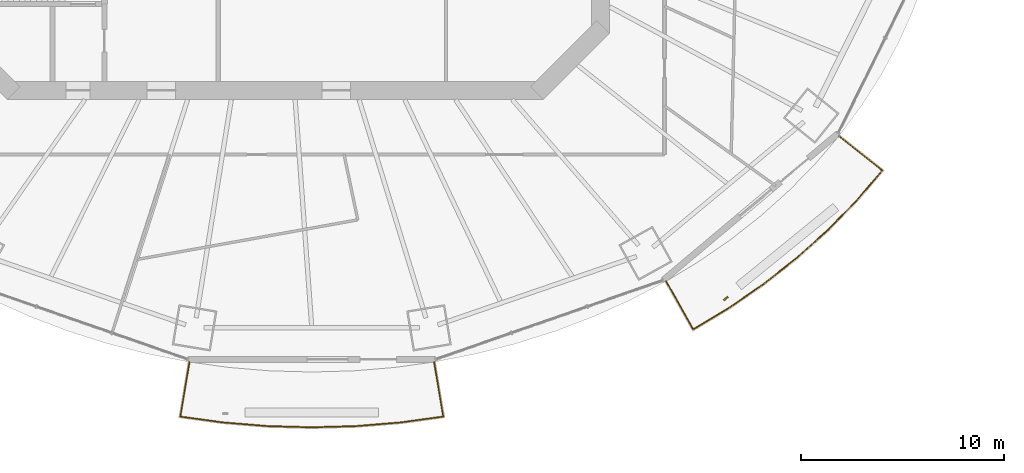
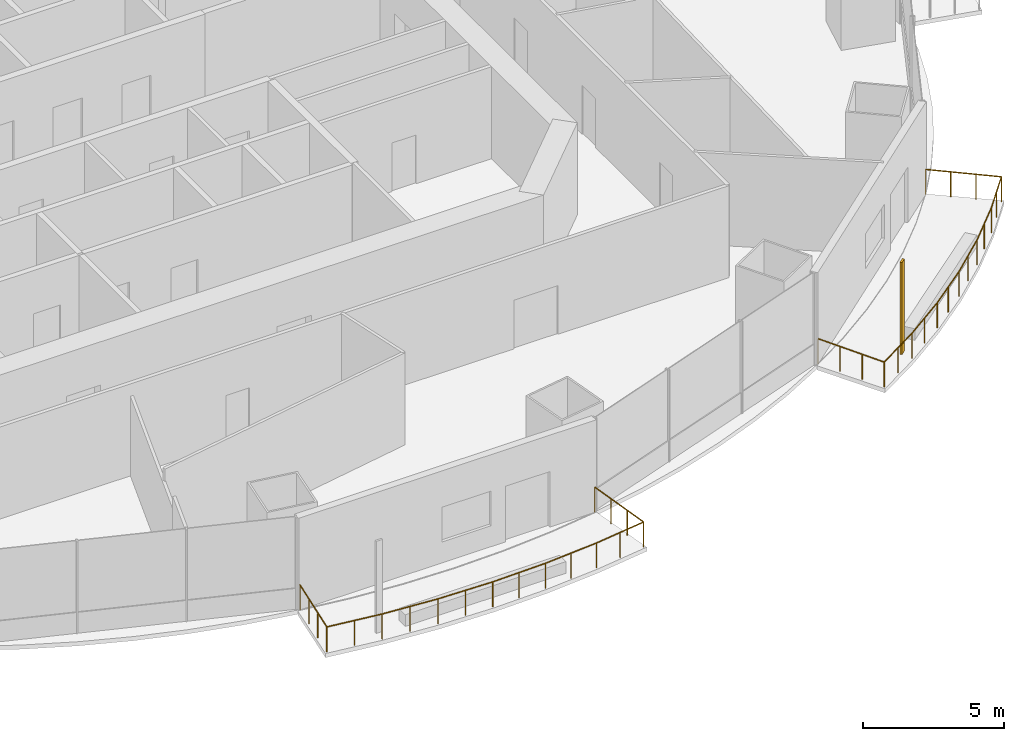
# One storey, part 16 of 20: 2 railings, 1 shading device.
"""IFC4 building model written with IfcOpenShell, lengths in metres."""

from ifc_helpers import new_model, si_unit, direction, frame, origin, origin_2d, place, context, subcontext, project, spatial, rectangle, circle, extrude, material, material_profile, profile_set, type_object, element, save


model = new_model("IFC4")

# Units and contexts
model_context = context("Model", 3, precision=1e-05, world=origin(), true_north=direction((0.0, 1.0)))
body_context = subcontext(model_context, "Body", "Model", "MODEL_VIEW")
ifc_project = project(units=[si_unit("LENGTHUNIT", "METRE"), si_unit("AREAUNIT", "SQUARE_METRE"), si_unit("VOLUMEUNIT", "CUBIC_METRE"), si_unit("PLANEANGLEUNIT", "RADIAN"), si_unit("MASSUNIT", "GRAM", prefix="KILO")], contexts=[model_context])

# Site, building, storey
site_placement = place(None, origin())
site = spatial("IfcSite", under=ifc_project, at=site_placement, CompositionType="ELEMENT")
building_placement = place(site_placement, origin())
building = spatial("IfcBuilding", under=site, at=building_placement, Name="Marenthal Gate Tower", CompositionType="ELEMENT")
storey_placement = place(building_placement, frame((0.0, 0.0, 219.14990234375)))
storey = spatial("IfcBuildingStorey", under=building, at=storey_placement, Name="L48", CompositionType="ELEMENT", Elevation=219.14990234375)

# Railings
ifc_material_1 = material(Name="Stainless steel", Category="steel")
railing_type = type_object("IfcRailingType", Name="Balcony guard 1100", PredefinedType="GUARDRAIL", material=ifc_material_1)
railing_1_placement = place(storey_placement, frame((7.817626953125, -26.35888671875, 0.0)))
element("IfcRailing", 1, at=railing_1_placement, inside=storey, type_object=railing_type, Name="Balcony guard L48 bay 12", PredefinedType="GUARDRAIL", context=body_context, shape_type="SweptSolid", body=[
    extrude(circle(Radius=0.02392578125, at=origin_2d()), frame((0.0, 0.0, 1.076171875), z_axis=(0.164963538042, -0.986191162137, -0.014629519424), x_axis=(0.986296712796, 0.164981193859, 0.0)), (0.0, 0.0, 1.0), 2.72021484375),
    extrude(circle(Radius=0.02392578125, at=origin_2d()), frame((0.44873046875, -2.6826171875, 1.0361328125), z_axis=(-0.990663789329, -0.136327754009, 0.0), x_axis=(0.136327754009, -0.990663789329, 0.0)), (0.0, 0.0, 1.0), 2.10791015625),
    extrude(circle(Radius=0.02392578125, at=origin_2d()), frame((-1.639404296875, -2.969970703125, 1.0361328125), z_axis=(-0.996589397045, -0.082520141157, 0.0), x_axis=(0.082520141157, -0.996589397045, 0.0)), (0.0, 0.0, 1.0), 2.1923828125),
    extrude(circle(Radius=0.02392578125, at=origin_2d()), frame((-3.82421875, -3.15087890625, 1.0361328125), z_axis=(-0.999622272762, -0.027482936484, 0.0), x_axis=(0.027482936484, -0.999622272762, 0.0)), (0.0, 0.0, 1.0), 2.194091796875),
    extrude(circle(Radius=0.02392578125, at=origin_2d()), frame((-6.017578125, -3.211181640625, 1.0361328125), z_axis=(-0.999622356789, 0.027479880036, 0.0), x_axis=(-0.027479880036, -0.999622356789, 0.0)), (0.0, 0.0, 1.0), 2.1943359375),
    extrude(circle(Radius=0.02392578125, at=origin_2d()), frame((-8.211181640625, -3.15087890625, 1.0361328125), z_axis=(-0.996588638583, 0.082529300535, 0.0), x_axis=(-0.082529300535, -0.996588638583, 0.0)), (0.0, 0.0, 1.0), 2.192138671875),
    extrude(circle(Radius=0.02392578125, at=origin_2d()), frame((-10.395751953125, -2.969970703125, 1.0361328125), z_axis=(-0.990663789329, 0.136327754009, 0.0), x_axis=(-0.136327754009, -0.990663789329, 0.0)), (0.0, 0.0, 1.0), 2.10791015625),
    extrude(circle(Radius=0.02392578125, at=origin_2d()), frame((-12.48388671875, -2.6826171875, 1.0361328125), z_axis=(0.16487622686, 0.986205759789, 0.014629735971), x_axis=(-0.986311315136, 0.164893873854, 0.0)), (0.0, 0.0, 1.0), 2.72021484375),
    extrude(circle(Radius=0.02099609375, at=origin_2d()), origin(), (0.0, 0.0, 1.0), 1.052001953125),
    extrude(circle(Radius=0.02099609375, at=origin_2d()), frame((0.149658203125, -0.894287109375, -0.01318359375)), (0.0, 0.0, 1.0), 1.052001953125),
    extrude(circle(Radius=0.02099609375, at=origin_2d()), frame((0.299072265625, -1.788330078125, -0.026611328125)), (0.0, 0.0, 1.0), 1.052001953125),
    extrude(circle(Radius=0.02099609375, at=origin_2d()), frame((0.44873046875, -2.6826171875, -0.039794921875)), (0.0, 0.0, 1.0), 1.052001953125),
    extrude(circle(Radius=0.02099609375, at=origin_2d()), frame((-0.59521484375, -2.826171875, -0.039794921875)), (0.0, 0.0, 1.0), 1.052001953125),
    extrude(circle(Radius=0.02099609375, at=origin_2d()), frame((-1.639404296875, -2.969970703125, -0.039794921875)), (0.0, 0.0, 1.0), 1.052001953125),
    extrude(circle(Radius=0.02099609375, at=origin_2d()), frame((-2.73193359375, -3.060546875, -0.039794921875)), (0.0, 0.0, 1.0), 1.052001953125),
    extrude(circle(Radius=0.02099609375, at=origin_2d()), frame((-3.82421875, -3.15087890625, -0.039794921875)), (0.0, 0.0, 1.0), 1.052001953125),
    extrude(circle(Radius=0.02099609375, at=origin_2d()), frame((-4.9208984375, -3.18115234375, -0.039794921875)), (0.0, 0.0, 1.0), 1.052001953125),
    extrude(circle(Radius=0.02099609375, at=origin_2d()), frame((-6.017578125, -3.211181640625, -0.039794921875)), (0.0, 0.0, 1.0), 1.052001953125),
    extrude(circle(Radius=0.02099609375, at=origin_2d()), frame((-7.1142578125, -3.18115234375, -0.039794921875)), (0.0, 0.0, 1.0), 1.052001953125),
    extrude(circle(Radius=0.02099609375, at=origin_2d()), frame((-8.211181640625, -3.15087890625, -0.039794921875)), (0.0, 0.0, 1.0), 1.052001953125),
    extrude(circle(Radius=0.02099609375, at=origin_2d()), frame((-9.303466796875, -3.060546875, -0.039794921875)), (0.0, 0.0, 1.0), 1.052001953125),
    extrude(circle(Radius=0.02099609375, at=origin_2d()), frame((-10.395751953125, -2.969970703125, -0.039794921875)), (0.0, 0.0, 1.0), 1.052001953125),
    extrude(circle(Radius=0.02099609375, at=origin_2d()), frame((-11.43994140625, -2.826171875, -0.039794921875)), (0.0, 0.0, 1.0), 1.052001953125),
    extrude(circle(Radius=0.02099609375, at=origin_2d()), frame((-12.48388671875, -2.6826171875, -0.039794921875)), (0.0, 0.0, 1.0), 1.052001953125),
    extrude(circle(Radius=0.02099609375, at=origin_2d()), frame((-12.33447265625, -1.788330078125, -0.026611328125)), (0.0, 0.0, 1.0), 1.052001953125),
    extrude(circle(Radius=0.02099609375, at=origin_2d()), frame((-12.184814453125, -0.894287109375, -0.01318359375)), (0.0, 0.0, 1.0), 1.052001953125),
    extrude(circle(Radius=0.02099609375, at=origin_2d()), frame((-12.035400390625, 0.0, 0.0)), (0.0, 0.0, 1.0), 1.052001953125),
])
railing_2_placement = place(storey_placement, frame((27.733642578125, -15.246337890625, 0.0)))
element("IfcRailing", 2, at=railing_2_placement, inside=storey, type_object=railing_type, Name="Balcony guard L48 bay 14", PredefinedType="GUARDRAIL", context=body_context, shape_type="SweptSolid", body=[
    extrude(circle(Radius=0.02392578125, at=origin_2d()), frame((0.0, 0.0, 1.076171875), z_axis=(0.782821304056, -0.62207457675, -0.014629657482), x_axis=(0.622141157777, 0.782905089905, 0.0)), (0.0, 0.0, 1.0), 2.72021484375),
    extrude(circle(Radius=0.02392578125, at=origin_2d()), frame((2.12939453125, -1.692138671875, 1.0361328125), z_axis=(-0.650003821806, -0.759930938729, 0.0), x_axis=(0.759930938729, -0.650003821806, 0.0)), (0.0, 0.0, 1.0), 1.941162109375),
    extrude(circle(Radius=0.02392578125, at=origin_2d()), frame((0.86767578125, -3.167236328125, 1.0361328125), z_axis=(-0.698730968348, -0.715384535667, 0.0), x_axis=(0.715384535667, -0.698730968348, 0.0)), (0.0, 0.0, 1.0), 2.037841796875),
    extrude(circle(Radius=0.02392578125, at=origin_2d()), frame((-0.55615234375, -4.625, 1.0361328125), z_axis=(-0.744433020663, -0.667697145229, 0.0), x_axis=(0.667697145229, -0.744433020663, 0.0)), (0.0, 0.0, 1.0), 2.05517578125),
    extrude(circle(Radius=0.02392578125, at=origin_2d()), frame((-2.086181640625, -5.997314453125, 1.0361328125), z_axis=(-0.785888916209, -0.618367699173, 0.0), x_axis=(0.618367699173, -0.785888916209, 0.0)), (0.0, 0.0, 1.0), 2.072265625),
    extrude(circle(Radius=0.02392578125, at=origin_2d()), frame((-3.71484375, -7.27880859375, 1.0361328125), z_axis=(-0.823321977979, -0.567574594724, 0.0), x_axis=(0.567574594724, -0.823321977979, 0.0)), (0.0, 0.0, 1.0), 2.089599609375),
    extrude(circle(Radius=0.02392578125, at=origin_2d()), frame((-5.435302734375, -8.46484375, 1.0361328125), z_axis=(-0.856139874466, -0.51674414883, 0.0), x_axis=(0.51674414883, -0.856139874466, 0.0)), (0.0, 0.0, 1.0), 2.0263671875),
    extrude(circle(Radius=0.02392578125, at=origin_2d()), frame((-7.170166015625, -9.511962890625, 1.0361328125), z_axis=(-0.489693071335, 0.871772141106, 0.014629760012), x_axis=(-0.871865448727, -0.489745484223, 0.0)), (0.0, 0.0, 1.0), 2.72021484375),
    extrude(circle(Radius=0.02099609375, at=origin_2d()), origin(), (0.0, 0.0, 1.0), 1.052001953125),
    extrude(circle(Radius=0.02099609375, at=origin_2d()), frame((0.709716796875, -0.56396484375, -0.01318359375)), (0.0, 0.0, 1.0), 1.052001953125),
    extrude(circle(Radius=0.02099609375, at=origin_2d()), frame((1.419677734375, -1.128173828125, -0.026611328125)), (0.0, 0.0, 1.0), 1.052001953125),
    extrude(circle(Radius=0.02099609375, at=origin_2d()), frame((2.12939453125, -1.692138671875, -0.039794921875)), (0.0, 0.0, 1.0), 1.052001953125),
    extrude(circle(Radius=0.02099609375, at=origin_2d()), frame((1.49853515625, -2.4296875, -0.039794921875)), (0.0, 0.0, 1.0), 1.052001953125),
    extrude(circle(Radius=0.02099609375, at=origin_2d()), frame((0.86767578125, -3.167236328125, -0.039794921875)), (0.0, 0.0, 1.0), 1.052001953125),
    extrude(circle(Radius=0.02099609375, at=origin_2d()), frame((0.15576171875, -3.89599609375, -0.039794921875)), (0.0, 0.0, 1.0), 1.052001953125),
    extrude(circle(Radius=0.02099609375, at=origin_2d()), frame((-0.55615234375, -4.625, -0.039794921875)), (0.0, 0.0, 1.0), 1.052001953125),
    extrude(circle(Radius=0.02099609375, at=origin_2d()), frame((-1.3212890625, -5.31103515625, -0.039794921875)), (0.0, 0.0, 1.0), 1.052001953125),
    extrude(circle(Radius=0.02099609375, at=origin_2d()), frame((-2.086181640625, -5.997314453125, -0.039794921875)), (0.0, 0.0, 1.0), 1.052001953125),
    extrude(circle(Radius=0.02099609375, at=origin_2d()), frame((-2.900390625, -6.63818359375, -0.039794921875)), (0.0, 0.0, 1.0), 1.052001953125),
    extrude(circle(Radius=0.02099609375, at=origin_2d()), frame((-3.71484375, -7.27880859375, -0.039794921875)), (0.0, 0.0, 1.0), 1.052001953125),
    extrude(circle(Radius=0.02099609375, at=origin_2d()), frame((-4.5751953125, -7.871826171875, -0.039794921875)), (0.0, 0.0, 1.0), 1.052001953125),
    extrude(circle(Radius=0.02099609375, at=origin_2d()), frame((-5.435302734375, -8.46484375, -0.039794921875)), (0.0, 0.0, 1.0), 1.052001953125),
    extrude(circle(Radius=0.02099609375, at=origin_2d()), frame((-6.302734375, -8.98828125, -0.039794921875)), (0.0, 0.0, 1.0), 1.052001953125),
    extrude(circle(Radius=0.02099609375, at=origin_2d()), frame((-7.170166015625, -9.511962890625, -0.039794921875)), (0.0, 0.0, 1.0), 1.052001953125),
    extrude(circle(Radius=0.02099609375, at=origin_2d()), frame((-7.6142578125, -8.721435546875, -0.026611328125)), (0.0, 0.0, 1.0), 1.052001953125),
    extrude(circle(Radius=0.02099609375, at=origin_2d()), frame((-8.05810546875, -7.93115234375, -0.01318359375)), (0.0, 0.0, 1.0), 1.052001953125),
    extrude(circle(Radius=0.02099609375, at=origin_2d()), frame((-8.502197265625, -7.140625, 0.0)), (0.0, 0.0, 1.0), 1.052001953125),
])

# Shading device
ifc_material_2 = material(Name="Terracotta", Category="masonry")
ifc_material_profile = material_profile(ifc_material_2, rectangle(XDim=0.25, YDim=0.080078125, at=origin_2d()), Name="Terracotta baguette 250x80")
ifc_profile_set = profile_set([ifc_material_profile], Name="Terracotta")
shading_device_type = type_object("IfcShadingDeviceType", Name="Terracotta BAGUETTE SCREEN 250x80", PredefinedType="USERDEFINED", material=ifc_profile_set)
shading_device_placement = place(storey_placement, frame((22.172607421875, -23.237548828125, -0.039794921875), z_axis=(0.0, 0.0, 1.0), x_axis=(0.765627996549, 0.643283585131, 0.0)))
element("IfcShadingDevice", 3, at=shading_device_placement, inside=storey, type_object=shading_device_type, Name="Terracotta BAGUETTE L48 bay 14L", ObjectType="BAGUETTE SCREEN", PredefinedType="USERDEFINED", context=body_context, shape_type="SweptSolid", body=[
    extrude(rectangle(XDim=0.25, YDim=0.080078125, at=origin_2d()), origin(), (0.0, 0.0, 1.0), 3.969970703125),
])

save(model, "model.ifc")
